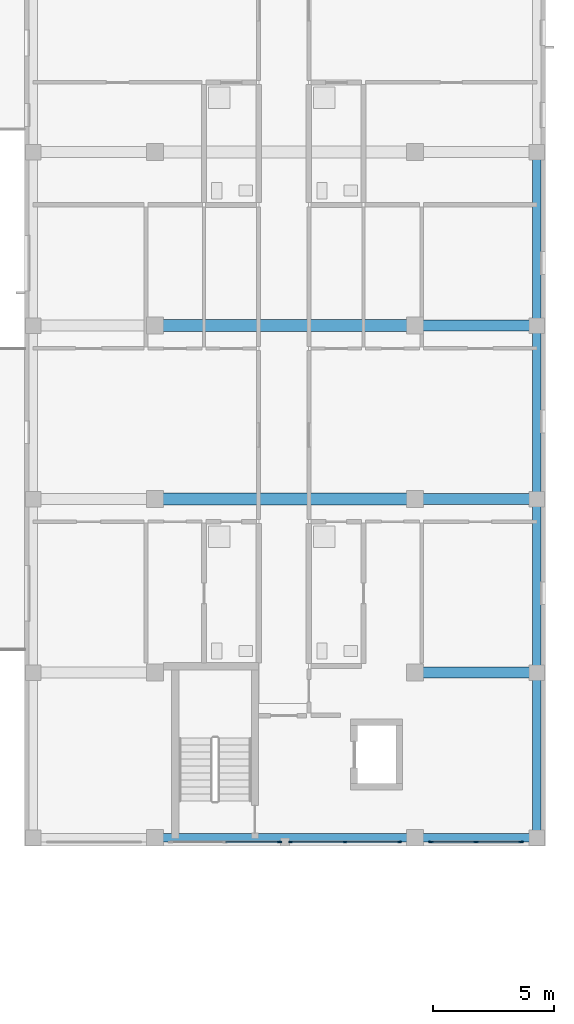
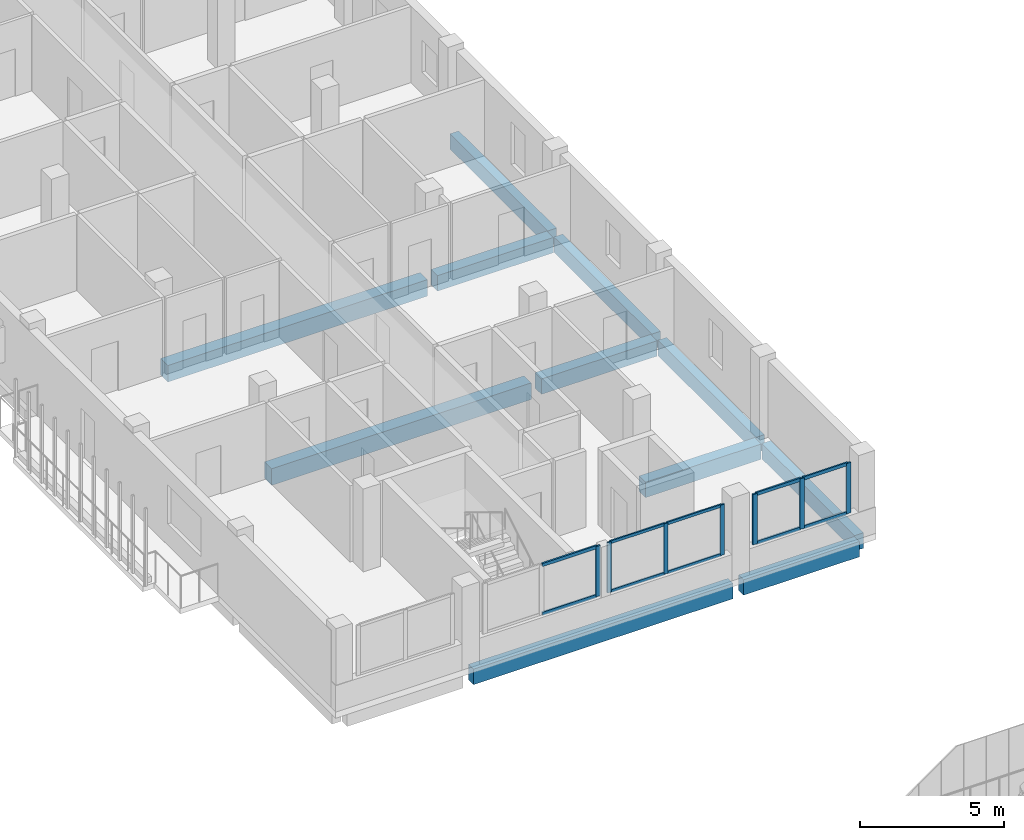
# One storey, part 26 of 73: 17 members, 11 beams, 3 elements without a shape of their own.
"""IFC4 building model written with IfcOpenShell, lengths in metres."""

from ifc_helpers import new_model, si_unit, derived_unit, direction, frame, origin, origin_2d, place, context, subcontext, project, spatial, rectangle, extrude, material, layer, layer_set, material_profile, profile_set, type_object, element, aggregate, save


model = new_model("IFC4")

# Units and contexts
model_context = context("Model", 3, precision=1e-05, world=origin(), true_north=direction((0.0, 1.0)))
body_context = subcontext(model_context, "Body", "Model", "MODEL_VIEW")
ifc_project = project(units=[si_unit("LENGTHUNIT", "METRE"), si_unit("AREAUNIT", "SQUARE_METRE"), si_unit("VOLUMEUNIT", "CUBIC_METRE"), si_unit("PLANEANGLEUNIT", "RADIAN"), si_unit("MASSUNIT", "GRAM", prefix="KILO"), derived_unit("THERMALTRANSMITTANCEUNIT", [(si_unit("MASSUNIT", "GRAM", prefix="KILO"), 1), (si_unit("TIMEUNIT", "SECOND"), -3), (si_unit("THERMODYNAMICTEMPERATUREUNIT", "KELVIN"), -1)])], contexts=[model_context])

# Site, building, storey
site_placement = place(None, origin())
site = spatial("IfcSite", under=ifc_project, at=site_placement, CompositionType="ELEMENT")
building_placement = place(site_placement, origin())
building = spatial("IfcBuilding", under=site, at=building_placement, Name="Ochrekiln Boulevard Commons", CompositionType="ELEMENT")
storey_placement = place(building_placement, frame((0.0, 0.0, 8.574951171875)))
storey = spatial("IfcBuildingStorey", under=building, at=storey_placement, Name="L02", CompositionType="ELEMENT", Elevation=8.574951171875)

# Beams
ifc_material_1 = material(Name="Concrete C35/45", Category="concrete")
ifc_material_profile_1 = material_profile(ifc_material_1, rectangle(XDim=0.449951171875, YDim=0.64990234375, at=origin_2d()), Name="RC-BM-450x650")
ifc_profile_set_1 = profile_set([ifc_material_profile_1], Name="Concrete C35/45")
beam_type_1 = type_object("IfcBeamType", Name="BM-RC-450x650", PredefinedType="BEAM", material=ifc_profile_set_1)
for number, where, z_axis, x_axis, name in (
    (1, (167.610107421875, 75.60009765625, -0.5849609375), (1.0, 0.0, 0.0), (0.0, 1.0, 0.0), "Block B L02 Beam B-4565 X5"),
    (2, (167.610107421875, 82.800048828125, -0.5849609375), (1.0, 0.0, 0.0), (0.0, 1.0, 0.0), "Block B L02 Beam B-4565 X8"),
    (3, (167.610107421875, 90.0, -0.5849609375), (1.0, 0.0, 0.0), (0.0, 1.0, 0.0), "Block B L02 Beam B-4565 X11"),
):
    element("IfcBeam", number, at=place(storey_placement, frame(where, z_axis=z_axis, x_axis=x_axis)), inside=storey, type_object=beam_type_1, Name=name, PredefinedType="BEAM", context=body_context, shape_type="SweptSolid", body=[
        extrude(rectangle(XDim=0.449951171875, YDim=0.64990234375, at=origin_2d()), origin(), (0.0, 0.0, 1.0), 4.6298828125),
    ])
ifc_material_2 = material(Name="Concrete C40/50", Category="concrete")
ifc_material_profile_2 = material_profile(ifc_material_2, rectangle(XDim=0.5, YDim=0.699951171875, at=origin_2d()), Name="RC-BM-500x700")
ifc_profile_set_2 = profile_set([ifc_material_profile_2], Name="Concrete C40/50")
beam_type_2 = type_object("IfcBeamType", Name="BM-RC-500x700", PredefinedType="BEAM", material=ifc_profile_set_2)
for number, where, z_axis, x_axis, name in (
    (4, (156.81005859375, 82.800048828125, -0.60986328125), (1.0, 0.0, 0.0), (0.0, 1.0, 0.0), "Block B L02 Beam B-5070 X7"),
    (5, (156.81005859375, 90.0, -0.60986328125), (1.0, 0.0, 0.0), (0.0, 1.0, 0.0), "Block B L02 Beam B-5070 X10"),
):
    element("IfcBeam", number, at=place(storey_placement, frame(where, z_axis=z_axis, x_axis=x_axis)), inside=storey, type_object=beam_type_2, Name=name, PredefinedType="BEAM", context=body_context, shape_type="SweptSolid", body=[
        extrude(rectangle(XDim=0.5, YDim=0.699951171875, at=origin_2d()), origin(), (0.0, 0.0, 1.0), 10.3798828125),
    ])

# Curtain wall, members
ifc_material_3 = material(Name="Bronze-anodized extruded aluminium 6063-T6", Category="aluminium")
ifc_layer = layer(ifc_material_3, 0.18408203125)
ifc_layer_set = layer_set([ifc_layer], Name="Bronze-anodized extruded aluminium 6063-T6")
curtain_wall_type = type_object("IfcCurtainWallType", Name="CW-GABLE-B", PredefinedType="USERDEFINED", material=ifc_layer_set)
curtain_wall_1_placement = place(storey_placement, origin())
curtain_wall_1 = element("IfcCurtainWall", 6, at=curtain_wall_1_placement, inside=storey, type_object=curtain_wall_type, Name="Block B L02 Courtyard Glazed Gable Curtain Wall 3", ObjectType="GLAZED CURTAIN WALL", PredefinedType="USERDEFINED")
ifc_material_profile_3 = material_profile(ifc_material_3, rectangle(XDim=0.06005859375, YDim=0.159912109375, at=origin_2d()), Name="ALU-MUL-60x160")
ifc_profile_set_3 = profile_set([ifc_material_profile_3], Name="Bronze-anodized extruded aluminium 6063-T6")
member_type_1 = type_object("IfcMemberType", Name="CWM-60x160", PredefinedType="MULLION", material=ifc_profile_set_3)
member_1_placement = place(storey_placement, frame((162.22998046875, 68.570068359375, 1.110107421875), z_axis=(0.0, 0.0, 1.0), x_axis=(0.0, 1.0, 0.0)))
member_1 = element("IfcMember", 7, at=member_1_placement, type_object=member_type_1, Name="CW-02 mullion 1", PredefinedType="MULLION", context=body_context, shape_type="SweptSolid", body=[
    extrude(rectangle(XDim=0.06005859375, YDim=0.159912109375, at=origin_2d()), origin(), (0.0, 0.0, 1.0), 2.1298828125),
])
member_2_placement = place(storey_placement, frame((164.489990234375, 68.570068359375, 1.110107421875), z_axis=(0.0, 0.0, 1.0), x_axis=(0.0, 1.0, 0.0)))
member_2 = element("IfcMember", 8, at=member_2_placement, type_object=member_type_1, Name="CW-02 mullion 2", PredefinedType="MULLION", context=body_context, shape_type="SweptSolid", body=[
    extrude(rectangle(XDim=0.06005859375, YDim=0.159912109375, at=origin_2d()), origin(), (0.0, 0.0, 1.0), 2.1298828125),
])
member_3_placement = place(storey_placement, frame((166.75, 68.570068359375, 1.110107421875), z_axis=(0.0, 0.0, 1.0), x_axis=(0.0, 1.0, 0.0)))
member_3 = element("IfcMember", 9, at=member_3_placement, type_object=member_type_1, Name="CW-02 mullion 3", PredefinedType="MULLION", context=body_context, shape_type="SweptSolid", body=[
    extrude(rectangle(XDim=0.06005859375, YDim=0.159912109375, at=origin_2d()), origin(), (0.0, 0.0, 1.0), 2.1298828125),
])

# Curtain wall, member
curtain_wall_2_placement = place(storey_placement, origin())
curtain_wall_2 = element("IfcCurtainWall", 10, at=curtain_wall_2_placement, inside=storey, type_object=curtain_wall_type, Name="Block B L02 Courtyard Glazed Gable Curtain Wall 2", ObjectType="GLAZED CURTAIN WALL", PredefinedType="USERDEFINED")
ifc_material_profile_4 = material_profile(ifc_material_3, rectangle(XDim=0.06494140625, YDim=0.179931640625, at=origin_2d()), Name="ALU-MUL-65x180")
ifc_profile_set_4 = profile_set([ifc_material_profile_4], Name="Bronze-anodized extruded aluminium 6063-T6")
member_type_2 = type_object("IfcMemberType", Name="CWM-65x180", PredefinedType="MULLION", material=ifc_profile_set_4)
member_4_placement = place(storey_placement, frame((161.767578125, 68.570068359375, 1.110107421875), z_axis=(0.0, 0.0, 1.0), x_axis=(0.0, 1.0, 0.0)))
member_4 = element("IfcMember", 11, at=member_4_placement, type_object=member_type_2, Name="CW-02 mullion 3", PredefinedType="MULLION", context=body_context, shape_type="SweptSolid", body=[
    extrude(rectangle(XDim=0.06494140625, YDim=0.179931640625, at=origin_2d()), origin(), (0.0, 0.0, 1.0), 2.1298828125),
])

# Curtain wall, members
curtain_wall_3_placement = place(storey_placement, origin())
curtain_wall_3 = element("IfcCurtainWall", 12, at=curtain_wall_3_placement, inside=storey, type_object=curtain_wall_type, Name="Block B L02 Courtyard Glazed Gable Curtain Wall 4", ObjectType="GLAZED CURTAIN WALL", PredefinedType="USERDEFINED")
member_5_placement = place(storey_placement, frame((168.052490234375, 68.570068359375, 1.110107421875), z_axis=(0.0, 0.0, 1.0), x_axis=(0.0, 1.0, 0.0)))
member_5 = element("IfcMember", 13, at=member_5_placement, type_object=member_type_2, Name="CW-02 mullion 1", PredefinedType="MULLION", context=body_context, shape_type="SweptSolid", body=[
    extrude(rectangle(XDim=0.06494140625, YDim=0.179931640625, at=origin_2d()), origin(), (0.0, 0.0, 1.0), 2.1298828125),
])
member_6_placement = place(storey_placement, frame((169.925048828125, 68.570068359375, 1.110107421875), z_axis=(0.0, 0.0, 1.0), x_axis=(0.0, 1.0, 0.0)))
member_6 = element("IfcMember", 14, at=member_6_placement, type_object=member_type_2, Name="CW-02 mullion 2", PredefinedType="MULLION", context=body_context, shape_type="SweptSolid", body=[
    extrude(rectangle(XDim=0.06494140625, YDim=0.179931640625, at=origin_2d()), origin(), (0.0, 0.0, 1.0), 2.1298828125),
])
member_7_placement = place(storey_placement, frame((171.797607421875, 68.570068359375, 1.110107421875), z_axis=(0.0, 0.0, 1.0), x_axis=(0.0, 1.0, 0.0)))
member_7 = element("IfcMember", 15, at=member_7_placement, type_object=member_type_2, Name="CW-02 mullion 3", PredefinedType="MULLION", context=body_context, shape_type="SweptSolid", body=[
    extrude(rectangle(XDim=0.06494140625, YDim=0.179931640625, at=origin_2d()), origin(), (0.0, 0.0, 1.0), 2.1298828125),
])

# Member
ifc_material_profile_5 = material_profile(ifc_material_3, rectangle(XDim=0.06005859375, YDim=0.1201171875, at=origin_2d()), Name="ALU-TRN-60x120")
ifc_profile_set_5 = profile_set([ifc_material_profile_5], Name="Bronze-anodized extruded aluminium 6063-T6")
member_type_3 = type_object("IfcMemberType", Name="CWT-60x120", PredefinedType="USERDEFINED", material=ifc_profile_set_5)
member_8_placement = place(storey_placement, frame((162.260009765625, 68.570068359375, 1.14013671875), z_axis=(1.0, 0.0, 0.0), x_axis=(0.0, 1.0, 0.0)))
member_8 = element("IfcMember", 16, at=member_8_placement, type_object=member_type_3, Name="CW-02 transom 1.1", ObjectType="TRANSOM", PredefinedType="USERDEFINED", context=body_context, shape_type="SweptSolid", body=[
    extrude(rectangle(XDim=0.06005859375, YDim=0.1201171875, at=origin_2d()), origin(), (0.0, 0.0, 1.0), 2.199951171875),
])

member_9_placement = place(storey_placement, frame((162.260009765625, 68.570068359375, 3.2099609375), z_axis=(1.0, 0.0, 0.0), x_axis=(0.0, 1.0, 0.0)))
member_9 = element("IfcMember", 17, at=member_9_placement, type_object=member_type_3, Name="CW-02 transom 1.2", ObjectType="TRANSOM", PredefinedType="USERDEFINED", context=body_context, shape_type="SweptSolid", body=[
    extrude(rectangle(XDim=0.06005859375, YDim=0.1201171875, at=origin_2d()), origin(), (0.0, 0.0, 1.0), 2.199951171875),
])

member_10_placement = place(storey_placement, frame((164.52001953125, 68.570068359375, 1.14013671875), z_axis=(1.0, 0.0, 0.0), x_axis=(0.0, 1.0, 0.0)))
member_10 = element("IfcMember", 18, at=member_10_placement, type_object=member_type_3, Name="CW-02 transom 2.1", ObjectType="TRANSOM", PredefinedType="USERDEFINED", context=body_context, shape_type="SweptSolid", body=[
    extrude(rectangle(XDim=0.06005859375, YDim=0.1201171875, at=origin_2d()), origin(), (0.0, 0.0, 1.0), 2.199951171875),
])

member_11_placement = place(storey_placement, frame((164.52001953125, 68.570068359375, 3.2099609375), z_axis=(1.0, 0.0, 0.0), x_axis=(0.0, 1.0, 0.0)))
member_11 = element("IfcMember", 19, at=member_11_placement, type_object=member_type_3, Name="CW-02 transom 2.2", ObjectType="TRANSOM", PredefinedType="USERDEFINED", context=body_context, shape_type="SweptSolid", body=[
    extrude(rectangle(XDim=0.06005859375, YDim=0.1201171875, at=origin_2d()), origin(), (0.0, 0.0, 1.0), 2.199951171875),
])

aggregate(curtain_wall_1, [member_1, member_2, member_3, member_8, member_9, member_10, member_11])

ifc_material_profile_6 = material_profile(ifc_material_3, rectangle(XDim=0.06494140625, YDim=0.139892578125, at=origin_2d()), Name="ALU-TRN-65x140")
ifc_profile_set_6 = profile_set([ifc_material_profile_6], Name="Bronze-anodized extruded aluminium 6063-T6")
member_type_4 = type_object("IfcMemberType", Name="CWT-65x140", PredefinedType="USERDEFINED", material=ifc_profile_set_6)
member_12_placement = place(storey_placement, frame((159.54248046875, 68.570068359375, 1.142578125), z_axis=(1.0, 0.0, 0.0), x_axis=(0.0, 1.0, 0.0)))
member_12 = element("IfcMember", 20, at=member_12_placement, type_object=member_type_4, Name="CW-02 transom 2.1", ObjectType="TRANSOM", PredefinedType="USERDEFINED", context=body_context, shape_type="SweptSolid", body=[
    extrude(rectangle(XDim=0.06494140625, YDim=0.139892578125, at=origin_2d()), origin(), (0.0, 0.0, 1.0), 2.192626953125),
])

member_13_placement = place(storey_placement, frame((159.54248046875, 68.570068359375, 3.20751953125), z_axis=(1.0, 0.0, 0.0), x_axis=(0.0, 1.0, 0.0)))
member_13 = element("IfcMember", 21, at=member_13_placement, type_object=member_type_4, Name="CW-02 transom 2.2", ObjectType="TRANSOM", PredefinedType="USERDEFINED", context=body_context, shape_type="SweptSolid", body=[
    extrude(rectangle(XDim=0.06494140625, YDim=0.139892578125, at=origin_2d()), origin(), (0.0, 0.0, 1.0), 2.192626953125),
])

aggregate(curtain_wall_2, [member_4, member_12, member_13])

member_14_placement = place(storey_placement, frame((168.0849609375, 68.570068359375, 1.142578125), z_axis=(1.0, 0.0, 0.0), x_axis=(0.0, 1.0, 0.0)))
member_14 = element("IfcMember", 22, at=member_14_placement, type_object=member_type_4, Name="CW-02 transom 1.1", ObjectType="TRANSOM", PredefinedType="USERDEFINED", context=body_context, shape_type="SweptSolid", body=[
    extrude(rectangle(XDim=0.06494140625, YDim=0.139892578125, at=origin_2d()), origin(), (0.0, 0.0, 1.0), 1.8076171875),
])

member_15_placement = place(storey_placement, frame((168.0849609375, 68.570068359375, 3.20751953125), z_axis=(1.0, 0.0, 0.0), x_axis=(0.0, 1.0, 0.0)))
member_15 = element("IfcMember", 23, at=member_15_placement, type_object=member_type_4, Name="CW-02 transom 1.2", ObjectType="TRANSOM", PredefinedType="USERDEFINED", context=body_context, shape_type="SweptSolid", body=[
    extrude(rectangle(XDim=0.06494140625, YDim=0.139892578125, at=origin_2d()), origin(), (0.0, 0.0, 1.0), 1.8076171875),
])

member_16_placement = place(storey_placement, frame((169.95751953125, 68.570068359375, 1.142578125), z_axis=(1.0, 0.0, 0.0), x_axis=(0.0, 1.0, 0.0)))
member_16 = element("IfcMember", 24, at=member_16_placement, type_object=member_type_4, Name="CW-02 transom 2.1", ObjectType="TRANSOM", PredefinedType="USERDEFINED", context=body_context, shape_type="SweptSolid", body=[
    extrude(rectangle(XDim=0.06494140625, YDim=0.139892578125, at=origin_2d()), origin(), (0.0, 0.0, 1.0), 1.807373046875),
])

member_17_placement = place(storey_placement, frame((169.95751953125, 68.570068359375, 3.20751953125), z_axis=(1.0, 0.0, 0.0), x_axis=(0.0, 1.0, 0.0)))
member_17 = element("IfcMember", 25, at=member_17_placement, type_object=member_type_4, Name="CW-02 transom 2.2", ObjectType="TRANSOM", PredefinedType="USERDEFINED", context=body_context, shape_type="SweptSolid", body=[
    extrude(rectangle(XDim=0.06494140625, YDim=0.139892578125, at=origin_2d()), origin(), (0.0, 0.0, 1.0), 1.807373046875),
])

aggregate(curtain_wall_3, [member_5, member_6, member_7, member_14, member_15, member_16, member_17])

# Beams
ifc_material_profile_7 = material_profile(ifc_material_2, rectangle(XDim=0.35009765625, YDim=0.64990234375, at=origin_2d()), Name="RC-SPN-350x650")
ifc_profile_set_7 = profile_set([ifc_material_profile_7], Name="Concrete C40/50")
beam_type_3 = type_object("IfcBeamType", Name="SPN-RC-350x650", PredefinedType="SPANDREL", material=ifc_profile_set_7)
beam_1_placement = place(storey_placement, frame((156.81005859375, 68.75, -0.5849609375), z_axis=(1.0, 0.0, 0.0), x_axis=(0.0, 1.0, 0.0)))
element("IfcBeam", 26, at=beam_1_placement, inside=storey, type_object=beam_type_3, Name="Block B L02 Beam SP-3565 X2", PredefinedType="SPANDREL", context=body_context, shape_type="SweptSolid", body=[
    extrude(rectangle(XDim=0.35009765625, YDim=0.64990234375, at=origin_2d()), origin(), (0.0, 0.0, 1.0), 10.3798828125),
])
beam_2_placement = place(storey_placement, frame((167.610107421875, 68.75, -0.5849609375), z_axis=(1.0, 0.0, 0.0), x_axis=(0.0, 1.0, 0.0)))
element("IfcBeam", 27, at=beam_2_placement, inside=storey, type_object=beam_type_3, Name="Block B L02 Beam SP-3565 X3", PredefinedType="SPANDREL", context=body_context, shape_type="SweptSolid", body=[
    extrude(rectangle(XDim=0.35009765625, YDim=0.64990234375, at=origin_2d()), origin(), (0.0, 0.0, 1.0), 4.6298828125),
])
beam_3_placement = place(storey_placement, frame((172.449951171875, 68.9599609375, -0.5849609375), z_axis=(0.0, 1.0, 0.0), x_axis=(-1.0, 0.0, 0.0)))
element("IfcBeam", 28, at=beam_3_placement, inside=storey, type_object=beam_type_3, Name="Block B L02 Beam SP-3565 Y30", PredefinedType="SPANDREL", context=body_context, shape_type="SweptSolid", body=[
    extrude(rectangle(XDim=0.35009765625, YDim=0.64990234375, at=origin_2d()), origin(), (0.0, 0.0, 1.0), 6.429931640625),
])
for number, where, z_axis, x_axis, name in (
    (29, (172.449951171875, 75.81005859375, -0.5849609375), (0.0, 1.0, 0.0), (-1.0, 0.0, 0.0), "Block B L02 Beam SP-3565 Y31"),
    (30, (172.449951171875, 83.010009765625, -0.5849609375), (0.0, 1.0, 0.0), (-1.0, 0.0, 0.0), "Block B L02 Beam SP-3565 Y32"),
    (31, (172.449951171875, 90.2099609375, -0.5849609375), (0.0, 1.0, 0.0), (-1.0, 0.0, 0.0), "Block B L02 Beam SP-3565 Y33"),
):
    element("IfcBeam", number, at=place(storey_placement, frame(where, z_axis=z_axis, x_axis=x_axis)), inside=storey, type_object=beam_type_3, Name=name, PredefinedType="SPANDREL", context=body_context, shape_type="SweptSolid", body=[
        extrude(rectangle(XDim=0.35009765625, YDim=0.64990234375, at=origin_2d()), origin(), (0.0, 0.0, 1.0), 6.780029296875),
    ])

save(model, "model.ifc")
